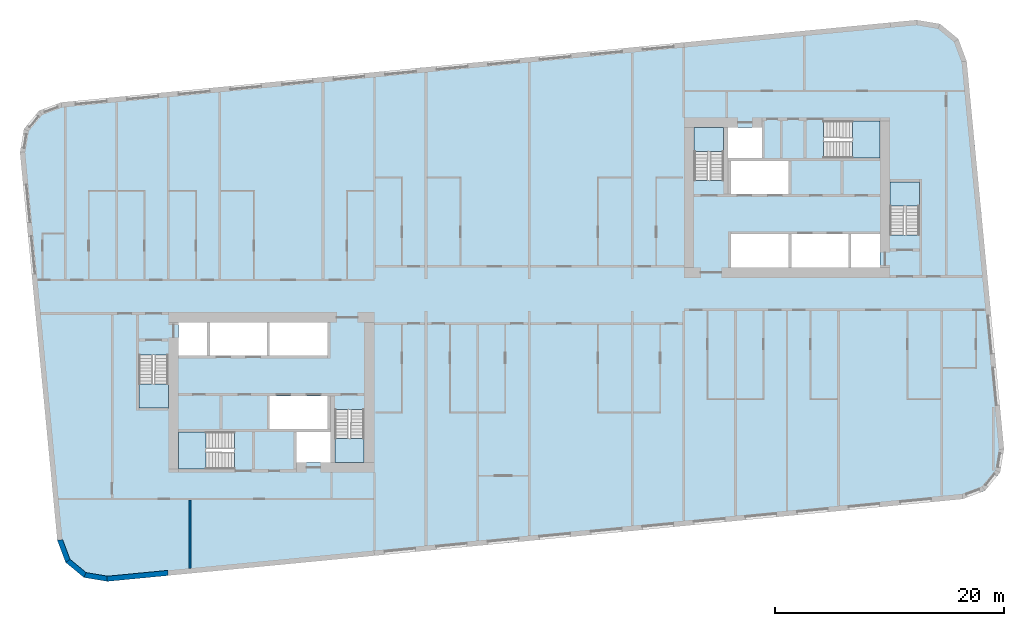
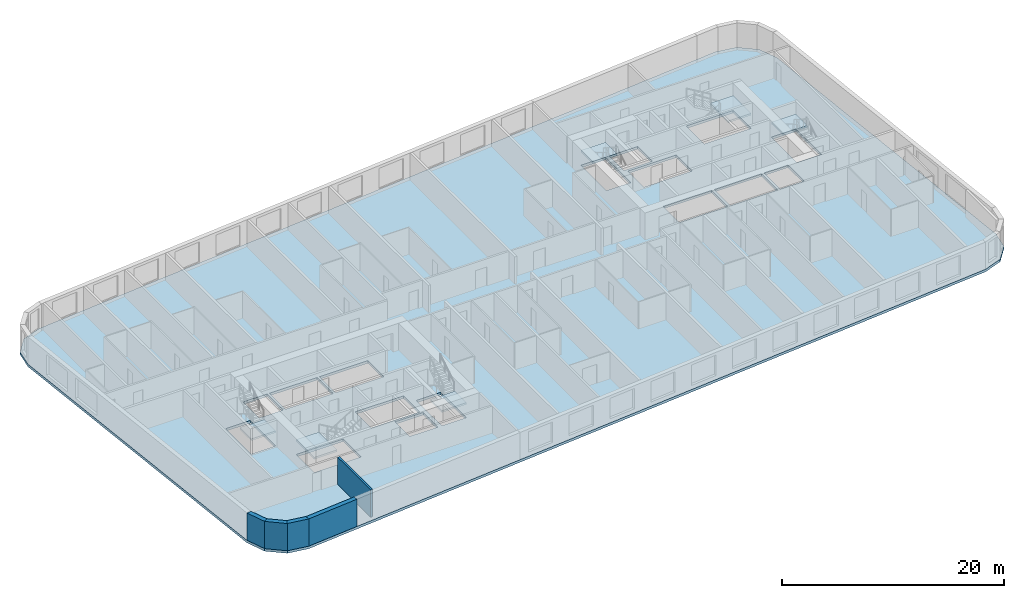
# One storey, part 1 of 12: 7 slabs, 5 walls, 6 elements without a shape of their own.
"""IFC4 building model written with IfcOpenShell, lengths in metres."""

from ifc_helpers import new_model, si_unit, direction, frame, frame_2d, origin, place, context, subcontext, project, spatial, polyline, rectangle, outline, extrude, material, layer, layer_set, type_object, element, aggregate, save


model = new_model("IFC4")

# Units and contexts
model_context = context("Model", 3, precision=1e-05, world=origin(), true_north=direction((0.0, 1.0)))
body_context = subcontext(model_context, "Body", "Model", "MODEL_VIEW")
ifc_project = project(units=[si_unit("LENGTHUNIT", "METRE"), si_unit("AREAUNIT", "SQUARE_METRE"), si_unit("VOLUMEUNIT", "CUBIC_METRE"), si_unit("PLANEANGLEUNIT", "RADIAN"), si_unit("MASSUNIT", "GRAM", prefix="KILO")], contexts=[model_context])

# Site, building, storey
site_placement = place(None, origin())
site = spatial("IfcSite", under=ifc_project, at=site_placement, CompositionType="ELEMENT")
building_placement = place(site_placement, origin())
building = spatial("IfcBuilding", under=site, at=building_placement, Name="Kajstack Hotel Tower", CompositionType="ELEMENT")
storey_placement = place(building_placement, frame((0.0, 0.0, 203.199951171875)))
storey = spatial("IfcBuildingStorey", under=building, at=storey_placement, Name="L49", CompositionType="ELEMENT", Elevation=203.199951171875)

# Slab
ifc_material_1 = material(Name="Concrete C40/50", Category="concrete")
ifc_layer_1 = layer(ifc_material_1, 0.280029296875)
ifc_layer_set_1 = layer_set([ifc_layer_1], Name="RC slab 280 C40/50 guest")
slab_type_1 = type_object("IfcSlabType", Name="RC slab 280 C40/50 guest", PredefinedType="FLOOR", material=ifc_layer_set_1)
slab_1_placement = place(storey_placement, frame((0.0, 0.0, -0.280029296875)))
element("IfcSlab", 1, at=slab_1_placement, inside=storey, type_object=slab_type_1, Name="S-slab-L49", PredefinedType="FLOOR", context=body_context, shape_type="SweptSolid", body=[
    extrude(outline(polyline([(-44.438232421875, 12.444091796875), (-41.1796875, -21.3994140625), (-40.454345703125, -23.3388671875), (-38.856689453125, -24.65576171875), (-36.814697265625, -24.99755859375), (37.840087890625, -17.80908203125), (39.779541015625, -17.083984375), (41.0966796875, -15.486328125), (41.438232421875, -13.444091796875), (38.1796875, 20.3994140625), (37.454345703125, 22.3388671875), (35.856689453125, 23.65576171875), (33.814697265625, 23.99755859375), (-40.840087890625, 16.80908203125), (-42.779541015625, 16.083984375), (-44.0966796875, 14.486328125), (-44.438232421875, 12.444091796875)]), holes=[polyline([(-22.64990234375, -11.699951171875), (-22.64990234375, -8.800048828125), (-17.60009765625, -8.800048828125), (-17.60009765625, -11.699951171875), (-22.64990234375, -11.699951171875)]), polyline([(-27.85009765625, -5.300048828125), (-27.85009765625, -2.39990234375), (-22.89990234375, -2.39990234375), (-22.89990234375, -5.300048828125), (-27.85009765625, -5.300048828125)]), polyline([(-22.64990234375, -5.300048828125), (-22.64990234375, -2.39990234375), (-17.60009765625, -2.39990234375), (-17.60009765625, -5.300048828125), (-22.64990234375, -5.300048828125)]), polyline([(-20.300048828125, -14.60009765625), (-17.35009765625, -14.60009765625), (-17.35009765625, -11.949951171875), (-20.300048828125, -11.949951171875), (-20.300048828125, -14.60009765625)]), polyline([(-30.60009765625, -5.300048828125), (-28.10009765625, -5.300048828125), (-28.10009765625, -2.39990234375), (-30.60009765625, -2.39990234375), (-30.60009765625, -5.300048828125)]), polyline([(17.60009765625, 8.800048828125), (17.60009765625, 11.699951171875), (22.64990234375, 11.699951171875), (22.64990234375, 8.800048828125), (17.60009765625, 8.800048828125)]), polyline([(22.89990234375, 2.39990234375), (22.89990234375, 5.300048828125), (27.85009765625, 5.300048828125), (27.85009765625, 2.39990234375), (22.89990234375, 2.39990234375)]), polyline([(17.60009765625, 2.39990234375), (17.60009765625, 5.300048828125), (22.64990234375, 5.300048828125), (22.64990234375, 2.39990234375), (17.60009765625, 2.39990234375)]), polyline([(20.300048828125, 14.60009765625), (17.35009765625, 14.60009765625), (17.35009765625, 11.949951171875), (20.300048828125, 11.949951171875), (20.300048828125, 14.60009765625)]), polyline([(30.60009765625, 5.300048828125), (28.10009765625, 5.300048828125), (28.10009765625, 2.39990234375), (30.60009765625, 2.39990234375), (30.60009765625, 5.300048828125)]), polyline([(-34.050048828125, -9.85009765625), (-31.5, -9.85009765625), (-31.5, -5.25), (-34.050048828125, -5.25), (-34.050048828125, -9.85009765625)]), polyline([(-16.949951171875, -14.60009765625), (-14.39990234375, -14.60009765625), (-14.39990234375, -10.0), (-16.949951171875, -10.0), (-16.949951171875, -14.60009765625)]), polyline([(-30.60009765625, -15.199951171875), (-25.699951171875, -15.199951171875), (-25.699951171875, -11.949951171875), (-30.60009765625, -11.949951171875), (-30.60009765625, -15.199951171875)]), polyline([(34.050048828125, 9.85009765625), (31.5, 9.85009765625), (31.5, 5.25), (34.050048828125, 5.25), (34.050048828125, 9.85009765625)]), polyline([(16.949951171875, 14.60009765625), (14.39990234375, 14.60009765625), (14.39990234375, 10.0), (16.949951171875, 10.0), (16.949951171875, 14.60009765625)]), polyline([(30.60009765625, 15.199951171875), (25.699951171875, 15.199951171875), (25.699951171875, 11.949951171875), (30.60009765625, 11.949951171875), (30.60009765625, 15.199951171875)])]), origin(), (0.0, 0.0, 1.0), 0.280029296875),
])

# Stair, slab
stair_type_1 = type_object("IfcStairType", Name="Exit stair 1200", PredefinedType="HALF_TURN_STAIR", material=ifc_material_1)
stair_1_placement = place(storey_placement, origin())
stair_1 = element("IfcStair", 2, at=stair_1_placement, inside=storey, type_object=stair_type_1, Name="L49 stair W1", PredefinedType="HALF_TURN_STAIR")
ifc_layer_2 = layer(ifc_material_1, 0.199951171875)
ifc_layer_set_2 = layer_set([ifc_layer_2], Name="Stair landing 200")
slab_type_2 = type_object("IfcSlabType", Name="Stair landing 200", PredefinedType="LANDING", material=ifc_layer_set_2)
slab_2_placement = place(storey_placement, frame((0.0, 0.0, 1.449951171875)))
slab_2 = element("IfcSlab", 3, at=slab_2_placement, type_object=slab_type_2, Name="W1 landing 1", PredefinedType="LANDING", context=body_context, shape_type="SweptSolid", body=[
    extrude(outline(polyline([(-34.050048828125, -7.77001953125), (-34.050048828125, -9.85009765625), (-31.5, -9.85009765625), (-31.5, -7.77001953125), (-34.050048828125, -7.77001953125)])), origin(), (0.0, 0.0, 1.0), 0.2001953125),
])
aggregate(stair_1, [slab_2])

stair_2_placement = place(storey_placement, origin())
stair_2 = element("IfcStair", 4, at=stair_2_placement, inside=storey, type_object=stair_type_1, Name="L49 stair W2", PredefinedType="HALF_TURN_STAIR")
slab_3_placement = place(storey_placement, frame((0.0, 0.0, 1.449951171875)))
slab_3 = element("IfcSlab", 5, at=slab_3_placement, type_object=slab_type_2, Name="W2 landing 1", PredefinedType="LANDING", context=body_context, shape_type="SweptSolid", body=[
    extrude(outline(polyline([(-16.949951171875, -12.52001953125), (-16.949951171875, -14.60009765625), (-14.39990234375, -14.60009765625), (-14.39990234375, -12.52001953125), (-16.949951171875, -12.52001953125)])), origin(), (0.0, 0.0, 1.0), 0.2001953125),
])
aggregate(stair_2, [slab_3])

stair_type_2 = type_object("IfcStairType", Name="Exit stair 1500", PredefinedType="HALF_TURN_STAIR", material=ifc_material_1)
stair_3_placement = place(storey_placement, origin())
stair_3 = element("IfcStair", 6, at=stair_3_placement, inside=storey, type_object=stair_type_2, Name="L49 stair W3", PredefinedType="HALF_TURN_STAIR")
slab_4_placement = place(storey_placement, frame((0.0, 0.0, 1.449951171875)))
slab_4 = element("IfcSlab", 7, at=slab_4_placement, type_object=slab_type_2, Name="W3 landing 1", PredefinedType="LANDING", context=body_context, shape_type="SweptSolid", body=[
    extrude(outline(polyline([(-28.219970703125, -11.949951171875), (-30.60009765625, -11.949951171875), (-30.60009765625, -15.199951171875), (-28.219970703125, -15.199951171875), (-28.219970703125, -11.949951171875)])), origin(), (0.0, 0.0, 1.0), 0.2001953125),
])
aggregate(stair_3, [slab_4])

stair_4_placement = place(storey_placement, origin())
stair_4 = element("IfcStair", 8, at=stair_4_placement, inside=storey, type_object=stair_type_1, Name="L49 stair E1", PredefinedType="HALF_TURN_STAIR")
slab_5_placement = place(storey_placement, frame((0.0, 0.0, 1.449951171875)))
slab_5 = element("IfcSlab", 9, at=slab_5_placement, type_object=slab_type_2, Name="E1 landing 1", PredefinedType="LANDING", context=body_context, shape_type="SweptSolid", body=[
    extrude(outline(polyline([(34.050048828125, 7.77001953125), (34.050048828125, 9.85009765625), (31.5, 9.85009765625), (31.5, 7.77001953125), (34.050048828125, 7.77001953125)])), origin(), (0.0, 0.0, 1.0), 0.2001953125),
])
aggregate(stair_4, [slab_5])

stair_5_placement = place(storey_placement, origin())
stair_5 = element("IfcStair", 10, at=stair_5_placement, inside=storey, type_object=stair_type_1, Name="L49 stair E2", PredefinedType="HALF_TURN_STAIR")
slab_6_placement = place(storey_placement, frame((0.0, 0.0, 1.449951171875)))
slab_6 = element("IfcSlab", 11, at=slab_6_placement, type_object=slab_type_2, Name="E2 landing 1", PredefinedType="LANDING", context=body_context, shape_type="SweptSolid", body=[
    extrude(outline(polyline([(16.949951171875, 12.52001953125), (16.949951171875, 14.60009765625), (14.39990234375, 14.60009765625), (14.39990234375, 12.52001953125), (16.949951171875, 12.52001953125)])), origin(), (0.0, 0.0, 1.0), 0.2001953125),
])
aggregate(stair_5, [slab_6])

stair_6_placement = place(storey_placement, origin())
stair_6 = element("IfcStair", 12, at=stair_6_placement, inside=storey, type_object=stair_type_2, Name="L49 stair E3", PredefinedType="HALF_TURN_STAIR")
slab_7_placement = place(storey_placement, frame((0.0, 0.0, 1.449951171875)))
slab_7 = element("IfcSlab", 13, at=slab_7_placement, type_object=slab_type_2, Name="E3 landing 1", PredefinedType="LANDING", context=body_context, shape_type="SweptSolid", body=[
    extrude(outline(polyline([(28.219970703125, 11.949951171875), (30.60009765625, 11.949951171875), (30.60009765625, 15.199951171875), (28.219970703125, 15.199951171875), (28.219970703125, 11.949951171875)])), origin(), (0.0, 0.0, 1.0), 0.2001953125),
])
aggregate(stair_6, [slab_7])

# Walls
ifc_material_2 = material(Name="Terracotta-faced brick masonry", Category="masonry")
ifc_layer_3 = layer(ifc_material_2, 0.449951171875)
ifc_layer_set_3 = layer_set([ifc_layer_3], Name="EW-TERRA")
wall_type_1 = type_object("IfcWallType", Name="EW-TERRA", PredefinedType="SOLIDWALL", material=ifc_layer_set_3)
wall_1_placement = place(storey_placement, frame((-40.96875, -21.320556640625, 0.0), z_axis=(0.0, 0.0, 1.0), x_axis=(0.350192909346, -0.936677599948, 0.0)))
element("IfcWall", 14, at=wall_1_placement, inside=storey, type_object=wall_type_1, Name="E-wall-L49-01-00", PredefinedType="SOLIDWALL", context=body_context, shape_type="SweptSolid", body=[
    extrude(outline(polyline([(0.0, -0.22509765625), (2.070556640625, -0.22509765625), (1.949951171875, 0.22509765625), (0.12060546875, 0.224853515625), (0.0, -0.22509765625)])), origin(), (0.0, 0.0, 1.0), 3.0),
])
wall_2_placement = place(storey_placement, frame((-40.311279296875, -23.165283203125, 0.0), z_axis=(0.0, 0.0, 1.0), x_axis=(0.771651049663, -0.636046112757, 0.0)))
element("IfcWall", 15, at=wall_2_placement, inside=storey, type_object=wall_type_1, Name="E-wall-L49-02-00", PredefinedType="SOLIDWALL", context=body_context, shape_type="SweptSolid", body=[
    extrude(outline(polyline([(0.0, -0.224853515625), (2.0703125, -0.22509765625), (1.94970703125, 0.224853515625), (0.12060546875, 0.22509765625), (0.0, -0.224853515625)])), origin(), (0.0, 0.0, 1.0), 3.0),
])
wall_3_placement = place(storey_placement, frame((-38.819580078125, -24.433837890625, 0.0), z_axis=(0.0, 0.0, 1.0), x_axis=(0.986278951104, -0.165087342366, 0.0)))
element("IfcWall", 16, at=wall_3_placement, inside=storey, type_object=wall_type_1, Name="E-wall-L49-03-00", PredefinedType="SOLIDWALL", context=body_context, shape_type="SweptSolid", body=[
    extrude(outline(polyline([(0.0, -0.22509765625), (2.070556640625, -0.224853515625), (1.949951171875, 0.22509765625), (0.12060546875, 0.224853515625), (0.0, -0.22509765625)])), origin(), (0.0, 0.0, 1.0), 3.0),
])
wall_4_placement = place(storey_placement, frame((-36.836181640625, -24.7734375, 0.0), z_axis=(0.0, 0.0, 1.0), x_axis=(0.995396705659, 0.095840483948, 0.0)))
element("IfcWall", 17, at=wall_4_placement, inside=storey, type_object=wall_type_1, Name="E-wall-L49-04-00", PredefinedType="SOLIDWALL", context=body_context, shape_type="SweptSolid", body=[
    extrude(rectangle(XDim=5.33935546875, YDim=0.449951171875, at=frame_2d((2.669677734375, 0.0))), origin(), (0.0, 0.0, 1.0), 3.0),
])
ifc_material_3 = material(Name="Gypsum board on steel studs, mineral wool", Category="steel")
ifc_layer_4 = layer(ifc_material_3, 0.199951171875)
ifc_layer_set_4 = layer_set([ifc_layer_4], Name="Service partition 200")
wall_type_2 = type_object("IfcWallType", Name="Service partition 200", PredefinedType="PARTITIONING", material=ifc_layer_set_4)
wall_5_placement = place(storey_placement, frame((-29.60009765625, -23.851806640625, 0.0), z_axis=(0.0, 0.0, 1.0), x_axis=(0.0, 1.0, 0.0)))
element("IfcWall", 18, at=wall_5_placement, inside=storey, type_object=wall_type_2, Name="Partition W SLP0", PredefinedType="PARTITIONING", context=body_context, shape_type="SweptSolid", body=[
    extrude(rectangle(XDim=5.951904296875, YDim=0.199951171875, at=frame_2d((2.97607421875, 0.0))), origin(), (0.0, 0.0, 1.0), 3.0),
])

save(model, "model.ifc")
